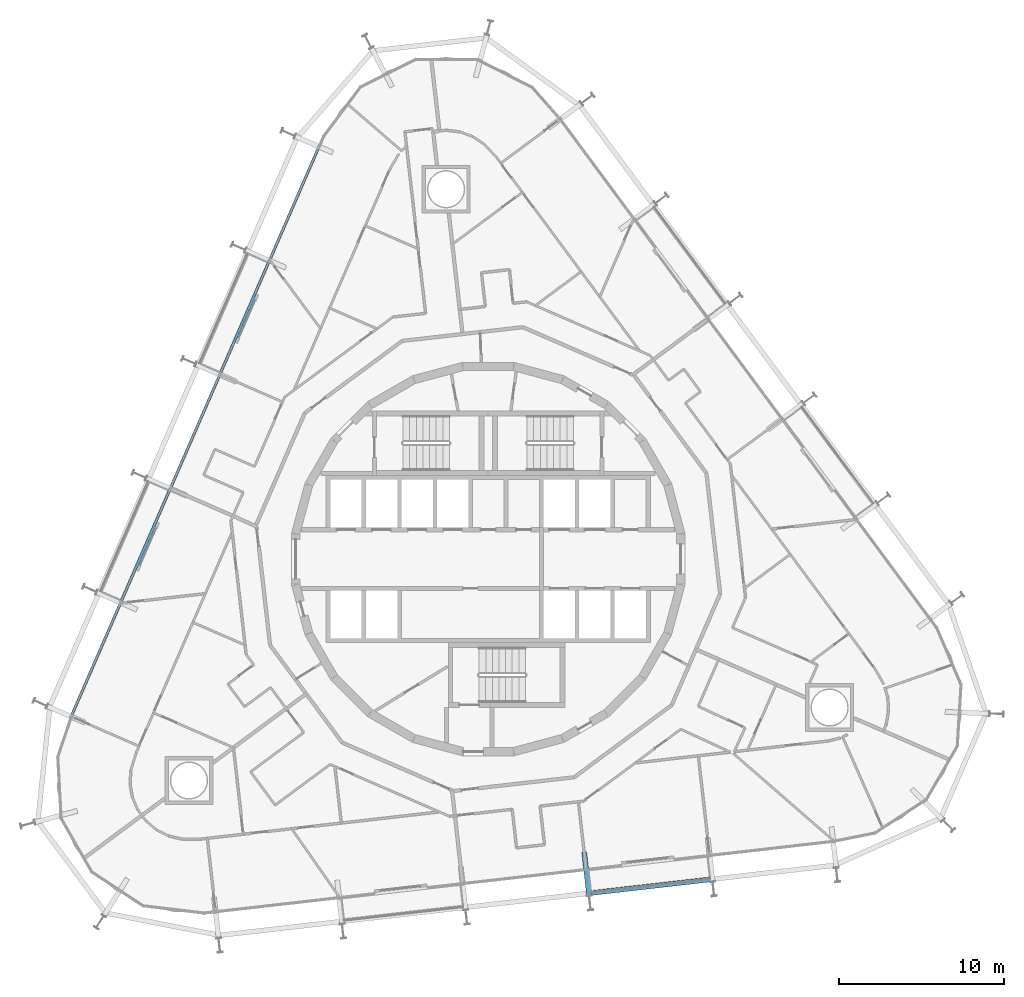
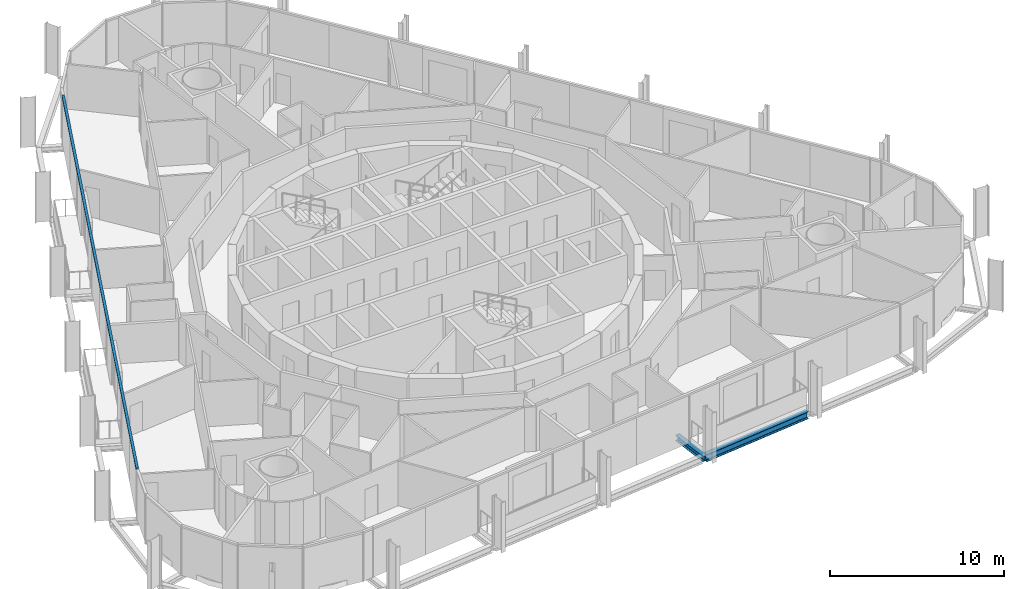
# One storey, part 6 of 21: 2 beams, 1 member, 1 element without a shape of its own.
"""IFC4 building model written with IfcOpenShell, lengths in metres."""

from ifc_helpers import new_model, si_unit, direction, frame, origin, origin_2d, place, context, subcontext, project, spatial, rectangle, i_section, extrude, material, layer, layer_set, material_profile, profile_set, type_object, element, aggregate, save


model = new_model("IFC4")

# Units and contexts
model_context = context("Model", 3, precision=1e-05, world=origin(), true_north=direction((0.0, 1.0)))
body_context = subcontext(model_context, "Body", "Model", "MODEL_VIEW")
ifc_project = project(units=[si_unit("LENGTHUNIT", "METRE"), si_unit("AREAUNIT", "SQUARE_METRE"), si_unit("VOLUMEUNIT", "CUBIC_METRE"), si_unit("PLANEANGLEUNIT", "RADIAN"), si_unit("MASSUNIT", "GRAM", prefix="KILO")], contexts=[model_context])

# Site, building, storey
site_placement = place(None, origin())
site = spatial("IfcSite", under=ifc_project, at=site_placement, CompositionType="ELEMENT")
building_placement = place(site_placement, origin())
building = spatial("IfcBuilding", under=site, at=building_placement, Name="Spindle Arch Residences", CompositionType="ELEMENT")
storey_placement = place(building_placement, frame((0.0, 0.0, 97.699951171875)))
storey = spatial("IfcBuildingStorey", under=building, at=storey_placement, Name="L23", CompositionType="ELEMENT", Elevation=97.699951171875)

# Curtain wall, member
ifc_material_1 = material(Name="Aluminium bronze unitised frame with tinted glass", Category="aluminium")
ifc_layer = layer(ifc_material_1, 0.159912109375)
ifc_layer_set = layer_set([ifc_layer], Name="CW-C typical residential unitised wall")
curtain_wall_type = type_object("IfcCurtainWallType", Name="CW-C typical residential unitised wall", PredefinedType="NOTDEFINED", material=ifc_layer_set)
curtain_wall_placement = place(storey_placement, origin())
curtain_wall = element("IfcCurtainWall", 1, at=curtain_wall_placement, inside=storey, type_object=curtain_wall_type, Name="CW-C L23 run 4", PredefinedType="NOTDEFINED")
ifc_material_2 = material(Name="Aluminium bronze anodised transom", Category="aluminium")
ifc_material_profile_1 = material_profile(ifc_material_2, rectangle(XDim=0.159912109375, YDim=0.1201171875, at=origin_2d()), Name="TR 120x160")
ifc_profile_set_1 = profile_set([ifc_material_profile_1], Name="Aluminium bronze anodised transom")
member_type = type_object("IfcMemberType", Name="Bronze transom 120x160", PredefinedType="USERDEFINED", material=ifc_profile_set_1)
member_placement = place(storey_placement, frame((-10.250244140625, 24.92138671875, 3.06005859375), z_axis=(-0.398750371211, -0.917059508134, 0.0), x_axis=(0.917059508134, -0.398750371211, 0.0)))
member = element("IfcMember", 2, at=member_placement, type_object=member_type, Name="CW-C transom 00", ObjectType="TRANSOM", PredefinedType="USERDEFINED", context=body_context, shape_type="SweptSolid", body=[
    extrude(rectangle(XDim=0.159912109375, YDim=0.1201171875, at=origin_2d()), origin(), (0.0, 0.0, 1.0), 37.5341796875),
])
aggregate(curtain_wall, [member])

# Beams
ifc_material_3 = material(Name="Steel S460ML, intumescent coating R 120", Category="steel")
ifc_material_profile_2 = material_profile(ifc_material_3, i_section(OverallWidth=0.300048828125, OverallDepth=0.5, WebThickness=0.014404296875, FlangeThickness=0.028076171875, FilletRadius=0.027099609375, at=origin_2d()), Name="HEB 500")
ifc_profile_set_2 = profile_set([ifc_material_profile_2], Name="Steel S460ML, intumescent coating R 120")
beam_type_1 = type_object("IfcBeamType", Name="Exoskeleton edge beam HEB 500", PredefinedType="BEAM", material=ifc_profile_set_2)
beam_1_placement = place(storey_placement, frame((6.2158203125, -20.19677734375, -0.6298828125), z_axis=(0.993570992395, 0.11321079044, 0.0), x_axis=(-0.11321079044, 0.993570992395, 0.0)))
element("IfcBeam", 3, at=beam_1_placement, inside=storey, type_object=beam_type_1, Name="Exoskeleton edge beam 1", PredefinedType="BEAM", context=body_context, shape_type="SweptSolid", body=[
    extrude(i_section(OverallWidth=0.300048828125, OverallDepth=0.5, WebThickness=0.014404296875, FlangeThickness=0.028076171875, FilletRadius=0.027099609375, at=origin_2d()), origin(), (0.0, 0.0, 1.0), 7.2587890625),
])
ifc_material_4 = material(Name="Steel S460ML, intumescent coating R 120", Category="steel")
ifc_material_profile_3 = material_profile(ifc_material_4, i_section(OverallWidth=0.300048828125, OverallDepth=0.389892578125, WebThickness=0.010986328125, FlangeThickness=0.01904296875, FilletRadius=0.027099609375, at=origin_2d()), Name="HEA 400")
ifc_profile_set_3 = profile_set([ifc_material_profile_3], Name="Steel S460ML, intumescent coating R 120")
beam_type_2 = type_object("IfcBeamType", Name="Floor outrigger HEA 400", PredefinedType="BEAM", material=ifc_profile_set_3)
beam_2_placement = place(storey_placement, frame((6.10205078125, -20.34765625, -0.574951171875), z_axis=(-0.113221808681, 0.993569736878, 0.0), x_axis=(-0.993569736878, -0.113221808681, 0.0)))
element("IfcBeam", 4, at=beam_2_placement, inside=storey, type_object=beam_type_2, Name="Floor outrigger 1", PredefinedType="BEAM", context=body_context, shape_type="SweptSolid", body=[
    extrude(i_section(OverallWidth=0.300048828125, OverallDepth=0.389892578125, WebThickness=0.010986328125, FlangeThickness=0.01904296875, FilletRadius=0.027099609375, at=origin_2d()), origin(), (0.0, 0.0, 1.0), 2.650146484375),
])

save(model, "model.ifc")
